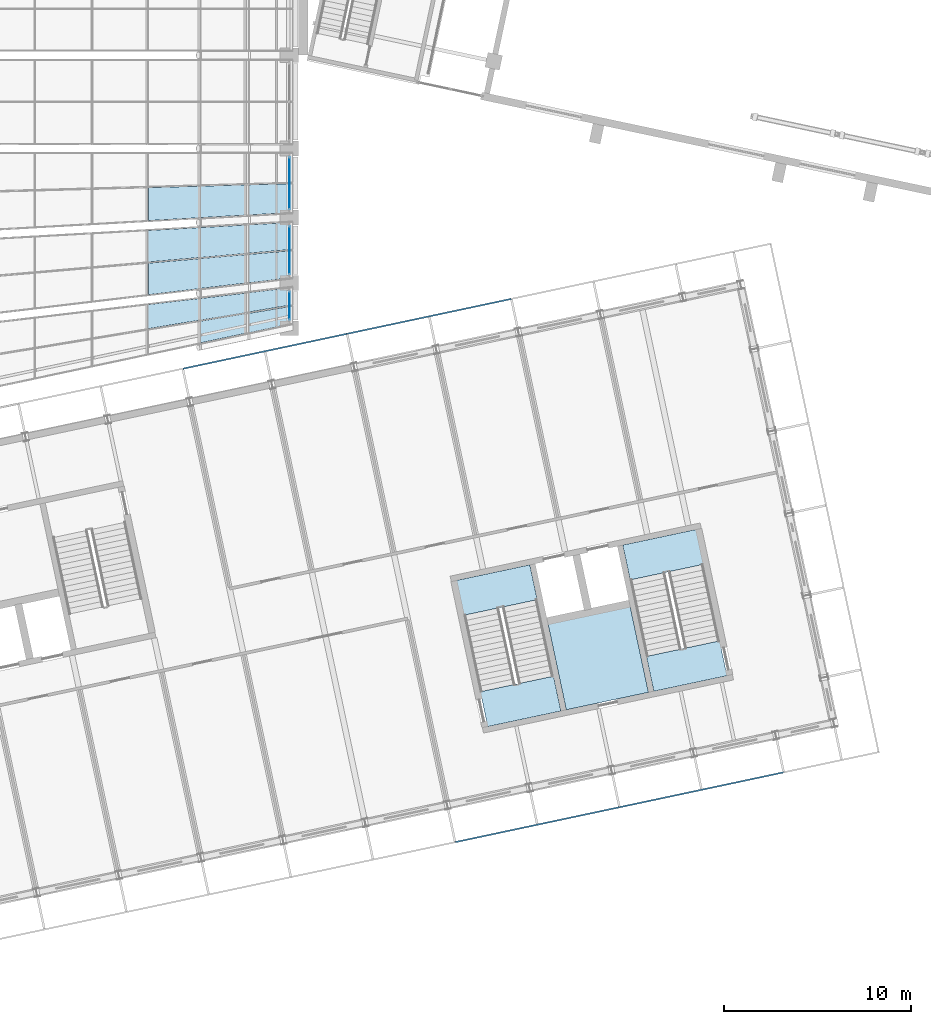
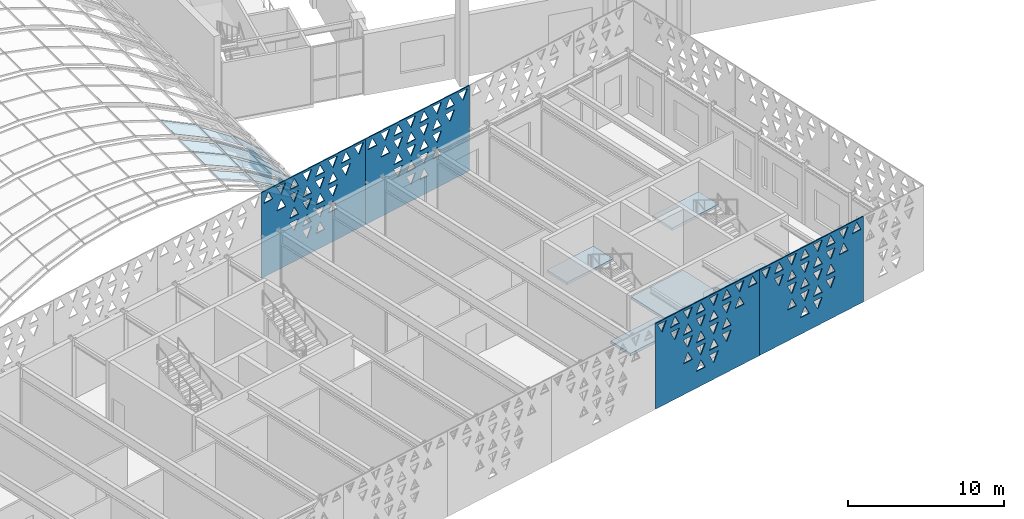
# One storey, part 103 of 182: 21 plates, 5 slabs, 8 elements without a shape of their own.
"""IFC4 building model written with IfcOpenShell, lengths in metres."""

from ifc_helpers import new_model, si_unit, direction, frame, origin, origin_2d, place, context, subcontext, project, spatial, polyline, rectangle, outline, extrude, material, layer, layer_set, type_object, element, aggregate, save


model = new_model("IFC4")

# Units and contexts
model_context = context("Model", 3, precision=1e-05, world=origin(), true_north=direction((0.0, 1.0)))
body_context = subcontext(model_context, "Body", "Model", "MODEL_VIEW")
ifc_project = project(units=[si_unit("LENGTHUNIT", "METRE"), si_unit("AREAUNIT", "SQUARE_METRE"), si_unit("VOLUMEUNIT", "CUBIC_METRE"), si_unit("PLANEANGLEUNIT", "RADIAN"), si_unit("MASSUNIT", "GRAM", prefix="KILO")], contexts=[model_context])

# Site, building, storey
site_placement = place(None, origin())
site = spatial("IfcSite", under=ifc_project, at=site_placement, CompositionType="ELEMENT")
building_placement = place(site_placement, origin())
building = spatial("IfcBuilding", under=site, at=building_placement, Name="Okhra Congress Centre", CompositionType="ELEMENT")
storey_placement = place(building_placement, frame((0.0, 0.0, 7.199951171875)))
storey = spatial("IfcBuildingStorey", under=building, at=storey_placement, Name="L01", CompositionType="ELEMENT", Elevation=7.199951171875)

# Curtain wall, plate
ifc_material_1 = material(Name="Aluminium curtain wall, triple glazing", Category="aluminium")
curtain_wall_type_1 = type_object("IfcCurtainWallType", Name="Curtain wall 2100 module", PredefinedType="NOTDEFINED", material=ifc_material_1)
curtain_wall_1_placement = place(storey_placement, origin())
curtain_wall_1 = element("IfcCurtainWall", 1, at=curtain_wall_1_placement, inside=storey, type_object=curtain_wall_type_1, Name="East bay 1 clerestory glazing", PredefinedType="NOTDEFINED")
ifc_material_2 = material(Name="Triple glazing unit, low-e coating, argon fill", Category="glass")
ifc_layer_1 = layer(ifc_material_2, 0.028076171875)
ifc_layer_set_1 = layer_set([ifc_layer_1], Name="Curtain wall glazing unit 28")
plate_type_1 = type_object("IfcPlateType", Name="Curtain wall glazing unit 28", PredefinedType="CURTAIN_PANEL", material=ifc_layer_set_1)
plate_1_placement = place(storey_placement, frame((189.0, 82.58447265625, 0.06005859375), z_axis=(0.0, 0.0, 1.0), x_axis=(0.0, 1.0, 0.0)))
plate_1 = element("IfcPlate", 2, at=plate_1_placement, type_object=plate_type_1, Name="CW4 panel 1.1", PredefinedType="CURTAIN_PANEL", context=body_context, shape_type="SweptSolid", body=[
    extrude(rectangle(XDim=1.5107421875, YDim=0.028076171875, at=origin_2d()), origin(), (0.0, 0.0, 1.0), 1.3798828125),
])
aggregate(curtain_wall_1, [plate_1])

curtain_wall_2_placement = place(storey_placement, origin())
curtain_wall_2 = element("IfcCurtainWall", 3, at=curtain_wall_2_placement, inside=storey, type_object=curtain_wall_type_1, Name="East bay 2 clerestory glazing", PredefinedType="NOTDEFINED")
plate_2_placement = place(storey_placement, frame((189.0, 85.550048828125, 0.06005859375), z_axis=(0.0, 0.0, 1.0), x_axis=(0.0, 1.0, 0.0)))
plate_2 = element("IfcPlate", 4, at=plate_2_placement, type_object=plate_type_1, Name="CW4 panel 1.1", PredefinedType="CURTAIN_PANEL", context=body_context, shape_type="SweptSolid", body=[
    extrude(rectangle(XDim=2.580078125, YDim=0.028076171875, at=origin_2d()), origin(), (0.0, 0.0, 1.0), 1.3798828125),
])
aggregate(curtain_wall_2, [plate_2])

curtain_wall_3_placement = place(storey_placement, origin())
curtain_wall_3 = element("IfcCurtainWall", 5, at=curtain_wall_3_placement, inside=storey, type_object=curtain_wall_type_1, Name="East bay 3 clerestory glazing", PredefinedType="NOTDEFINED")
plate_3_placement = place(storey_placement, frame((189.0, 89.14990234375, 0.06005859375), z_axis=(0.0, 0.0, 1.0), x_axis=(0.0, 1.0, 0.0)))
plate_3 = element("IfcPlate", 6, at=plate_3_placement, type_object=plate_type_1, Name="CW4 panel 1.1", PredefinedType="CURTAIN_PANEL", context=body_context, shape_type="SweptSolid", body=[
    extrude(rectangle(XDim=2.780029296875, YDim=0.028076171875, at=origin_2d()), origin(), (0.0, 0.0, 1.0), 1.3798828125),
])
aggregate(curtain_wall_3, [plate_3])

# Curtain wall, plates
ifc_material_3 = material(Name="Aluminium frame with triple glazing", Category="aluminium")
curtain_wall_type_2 = type_object("IfcCurtainWallType", Name="Glazed vault bay curtain wall", PredefinedType="NOTDEFINED", material=ifc_material_3)
curtain_wall_4_placement = place(storey_placement, origin())
curtain_wall_4 = element("IfcCurtainWall", 7, at=curtain_wall_4_placement, inside=storey, type_object=curtain_wall_type_2, Name="Vault glazing bay 1", PredefinedType="NOTDEFINED")
ifc_material_4 = material(Name="Laminated toughened glass unit, low-e coating", Category="glass")
ifc_layer_2 = layer(ifc_material_4, 0.035888671875)
ifc_layer_set_2 = layer_set([ifc_layer_2], Name="Laminated safety glazing unit 36 mm")
plate_type_2 = type_object("IfcPlateType", Name="Laminated safety glazing unit 36 mm", PredefinedType="CURTAIN_PANEL", material=ifc_layer_set_2)
plate_4_placement = place(storey_placement, frame((184.1923828125, 80.578125, 5.69189453125), z_axis=(0.559449609733, 0.0, 0.828864364157), x_axis=(0.816291665619, 0.173513923352, -0.550963551465)))
plate_4 = element("IfcPlate", 8, at=plate_4_placement, type_object=plate_type_2, Name="Vault glass panel 1.1.11", PredefinedType="CURTAIN_PANEL", context=body_context, shape_type="SweptSolid", body=[
    extrude(outline(polyline([(0.0, 0.0), (3.1137743455294196, 1.3877787807814457e-16), (3.295209925049871, 1.0297932020834226), (0.20219286039017384, 1.1476075072482315), (0.0, 0.0)])), origin(), (0.0, 0.0, -1.0), 0.035888671875),
])
plate_5_placement = place(storey_placement, frame((186.836669921875, 81.12841796875, 4.010498046875), z_axis=(0.663696509452, 0.0, 0.748001967472), x_axis=(0.738715796544, 0.157083244093, -0.655456959961)))
plate_5 = element("IfcPlate", 9, at=plate_5_placement, type_object=plate_type_2, Name="Vault glass panel 1.1.12", PredefinedType="CURTAIN_PANEL", context=body_context, shape_type="SweptSolid", body=[
    extrude(outline(polyline([(0.0, 0.0), (3.1053150930717264, 5.551115123125783e-17), (3.252273831197595, 0.9239324026197576), (0.16394796594156794, 1.0307440034445365), (0.0, 0.0)])), origin(), (0.0, 0.0, -1.0), 0.035888671875),
])
plate_6_placement = place(storey_placement, frame((184.242919921875, 81.803466796875, 5.7666015625), z_axis=(0.55950430238, 0.0, 0.828827446226), x_axis=(0.821138413829, 0.135896790609, -0.554313780846)))
plate_6 = element("IfcPlate", 10, at=plate_6_placement, type_object=plate_type_2, Name="Vault glass panel 1.2.11", PredefinedType="CURTAIN_PANEL", context=body_context, shape_type="SweptSolid", body=[
    extrude(outline(polyline([(0.0, 0.0), (3.0953953731405424, -2.7755575615628914e-17), (3.2375296140995076, 1.036195637470049), (0.1583582474549815, 1.154472870598633), (0.0, 0.0)])), origin(), (0.0, 0.0, -1.0), 0.035888671875),
])
plate_7_placement = place(storey_placement, frame((186.77685546875, 82.23193359375, 3.943115234375), z_axis=(0.663651964383, 0.0, 0.748041489605), x_axis=(0.742367132563, 0.122937766951, -0.658617754049)))
plate_7 = element("IfcPlate", 11, at=plate_7_placement, type_object=plate_type_2, Name="Vault glass panel 1.2.12", PredefinedType="CURTAIN_PANEL", context=body_context, shape_type="SweptSolid", body=[
    extrude(outline(polyline([(0.0, 0.0), (3.090041587080617, -2.7755575615628914e-17), (3.2050556307706746, 0.928450173717646), (0.12831029143397643, 1.0357840534036893), (0.0, 0.0)])), origin(), (0.0, 0.0, -1.0), 0.035888671875),
])

curtain_wall_5_placement = place(storey_placement, origin())
curtain_wall_5 = element("IfcCurtainWall", 12, at=curtain_wall_5_placement, inside=storey, type_object=curtain_wall_type_2, Name="Vault glazing bay 2", PredefinedType="NOTDEFINED")
plate_8_placement = place(storey_placement, frame((184.1923828125, 83.498046875, 5.69189453125), z_axis=(0.559449609733, 0.0, 0.828864364157), x_axis=(0.824899423254, 0.097694840925, -0.556773436481)))
plate_8 = element("IfcPlate", 13, at=plate_8_placement, type_object=plate_type_2, Name="Vault glass panel 2.1.11", PredefinedType="CURTAIN_PANEL", context=body_context, shape_type="SweptSolid", body=[
    extrude(outline(polyline([(0.0, 0.0), (3.0812823663369597, 1.3877787807814457e-17), (3.2303290120746917, 1.518336766161572), (0.15677446030310674, 1.5970599398271745), (0.0, 0.0)])), origin(), (0.0, 0.0, -1.0), 0.035888671875),
])
plate_9_placement = place(storey_placement, frame((186.836669921875, 83.8046875, 4.010498046875), z_axis=(0.663696509452, 0.0, 0.748001967472), x_axis=(0.745077747515, 0.08833722975, -0.661101871119)))
plate_9 = element("IfcPlate", 14, at=plate_9_placement, type_object=plate_type_2, Name="Vault glass panel 2.1.12", PredefinedType="CURTAIN_PANEL", context=body_context, shape_type="SweptSolid", body=[
    extrude(outline(polyline([(0.0, 0.0), (3.0787999241010784, 4.163336342344337e-17), (3.207121827668772, 1.4469578175349584), (0.13464094856690967, 1.518211370566512), (0.0, 0.0)])), origin(), (0.0, 0.0, -1.0), 0.035888671875),
])
plate_10_placement = place(storey_placement, frame((184.242919921875, 85.162841796875, 5.7666015625), z_axis=(0.55950430238, 0.0, 0.828827446226), x_axis=(0.826665705645, 0.072177420654, -0.558045008094)))
plate_10 = element("IfcPlate", 15, at=plate_10_placement, type_object=plate_type_2, Name="Vault glass panel 2.2.11", PredefinedType="CURTAIN_PANEL", context=body_context, shape_type="SweptSolid", body=[
    extrude(outline(polyline([(0.0, 0.0), (3.0746987924136784, 2.7755575615628914e-17), (3.1848151746568645, 1.5216556182150158), (0.11582572899415298, 1.6005508687033603), (0.0, 0.0)])), origin(), (0.0, 0.0, -1.0), 0.035888671875),
])
plate_11_placement = place(storey_placement, frame((186.77685546875, 85.388916015625, 3.943115234375), z_axis=(0.663651964383, 0.0, 0.748041489605), x_axis=(0.746448699555, 0.065222901483, -0.662238863292)))
plate_11 = element("IfcPlate", 16, at=plate_11_placement, type_object=plate_type_2, Name="Vault glass panel 2.2.12", PredefinedType="CURTAIN_PANEL", context=body_context, shape_type="SweptSolid", body=[
    extrude(outline(polyline([(0.0, 0.0), (3.073145299692781, -5.551115123125783e-17), (3.1679064048504246, 1.4497872687010118), (0.09941078465790078, 1.520924536800608), (0.0, 0.0)])), origin(), (0.0, 0.0, -1.0), 0.035888671875),
])

curtain_wall_6_placement = place(storey_placement, origin())
curtain_wall_6 = element("IfcCurtainWall", 17, at=curtain_wall_6_placement, inside=storey, type_object=curtain_wall_type_2, Name="Vault glazing bay 3", PredefinedType="NOTDEFINED")
plate_12_placement = place(storey_placement, frame((184.1923828125, 87.29443359375, 5.69189453125), z_axis=(0.559449609733, 0.0, 0.828864364157), x_axis=(0.827963783754, 0.046603282805, -0.558841754725)))
plate_12 = element("IfcPlate", 18, at=plate_12_placement, type_object=plate_type_2, Name="Vault glass panel 3.1.11", PredefinedType="CURTAIN_PANEL", context=body_context, shape_type="SweptSolid", body=[
    extrude(outline(polyline([(0.0, 0.0), (3.069878292684492, -6.938893903907228e-18), (3.1453583166411354, 1.6178691417862188), (0.07881370605180442, 1.6893246224228424), (0.0, 0.0)])), origin(), (0.0, 0.0, -1.0), 0.035888671875),
])
plate_13_placement = place(storey_placement, frame((186.836669921875, 87.440185546875, 4.010498046875), z_axis=(0.663696509452, 0.0, 0.748001967472), x_axis=(0.747342056976, 0.041996233087, -0.663110975842)))
plate_13 = element("IfcPlate", 19, at=plate_13_placement, type_object=plate_type_2, Name="Vault glass panel 3.1.12", PredefinedType="CURTAIN_PANEL", context=body_context, shape_type="SweptSolid", body=[
    extrude(outline(polyline([(0.0, 0.0), (3.0694717246109615, 1.3877787807814457e-17), (3.134731984278263, 1.5525841308407837), (0.06796704812797187, 1.6169803932982807), (0.0, 0.0)])), origin(), (0.0, 0.0, -1.0), 0.035888671875),
])

# Slabs
ifc_material_5 = material(Name="Concrete C30/37", Category="concrete")
ifc_layer_3 = layer(ifc_material_5, 0.199951171875)
ifc_layer_set_3 = layer_set([ifc_layer_3], Name="RC floor slab 200 REI 120 C30/37")
slab_type_1 = type_object("IfcSlabType", Name="RC floor slab 200 REI 120 C30/37", PredefinedType="FLOOR", material=ifc_layer_set_3)
slab_1_placement = place(storey_placement, frame((0.0, 0.0, -0.199951171875)))
element("IfcSlab", 20, at=slab_1_placement, inside=storey, type_object=slab_type_1, Name="Stair floor landing 5A L01", PredefinedType="FLOOR", context=body_context, shape_type="SweptSolid", body=[
    extrude(outline(polyline([(203.551513671875, 60.859130859375), (199.629150390625, 60.025390625), (199.23193359375, 61.893798828125), (203.154296875, 62.727294921875), (203.551513671875, 60.859130859375)])), origin(), (0.0, 0.0, 1.0), 0.199951171875),
])
slab_2_placement = place(storey_placement, frame((0.0, 0.0, -0.199951171875)))
element("IfcSlab", 21, at=slab_2_placement, inside=storey, type_object=slab_type_1, Name="Stair floor landing 5B L01", PredefinedType="FLOOR", context=body_context, shape_type="SweptSolid", body=[
    extrude(outline(polyline([(212.45263671875, 62.751220703125), (208.5302734375, 61.91748046875), (208.133056640625, 63.78564453125), (212.055419921875, 64.619384765625), (212.45263671875, 62.751220703125)])), origin(), (0.0, 0.0, 1.0), 0.199951171875),
])
slab_3_placement = place(storey_placement, frame((0.0, 0.0, -0.199951171875)))
element("IfcSlab", 22, at=slab_3_placement, inside=storey, type_object=slab_type_1, Name="Riser room floor 5 L01", PredefinedType="FLOOR", context=body_context, shape_type="SweptSolid", body=[
    extrude(outline(polyline([(203.8388671875, 60.92529296875), (208.24072265625, 61.861083984375), (207.263427734375, 66.458251953125), (202.86181640625, 65.522705078125), (203.8388671875, 60.92529296875)])), origin(), (0.0, 0.0, 1.0), 0.199951171875),
])

# Stair, slab
stair_type = type_object("IfcStairType", Name="Escape stair 1900 wide, 30 risers of 160.0", PredefinedType="HALF_TURN_STAIR", material=ifc_material_5)
stair_1_placement = place(storey_placement, origin())
stair_1 = element("IfcStair", 23, at=stair_1_placement, inside=storey, type_object=stair_type, Name="L01 Escape stair 5A", PredefinedType="HALF_TURN_STAIR")
ifc_layer_4 = layer(ifc_material_5, 0.199951171875)
ifc_layer_set_4 = layer_set([ifc_layer_4], Name="RC stair landing 200 C30/37")
slab_type_2 = type_object("IfcSlabType", Name="RC stair landing 200 C30/37", PredefinedType="LANDING", material=ifc_layer_set_4)
slab_4_placement = place(storey_placement, frame((0.0, 0.0, 2.199951171875)))
slab_4 = element("IfcSlab", 24, at=slab_4_placement, type_object=slab_type_2, Name="BS5A landing 1", PredefinedType="LANDING", context=body_context, shape_type="SweptSolid", body=[
    extrude(outline(polyline([(202.283203125, 66.825927734375), (198.36083984375, 65.9921875), (197.963623046875, 67.8603515625), (201.885986328125, 68.694091796875), (202.283203125, 66.825927734375)])), origin(), (0.0, 0.0, 1.0), 0.2001953125),
])
aggregate(stair_1, [slab_4])

stair_2_placement = place(storey_placement, origin())
stair_2 = element("IfcStair", 25, at=stair_2_placement, inside=storey, type_object=stair_type, Name="L01 Escape stair 5B", PredefinedType="HALF_TURN_STAIR")
slab_5_placement = place(storey_placement, frame((0.0, 0.0, 2.199951171875)))
slab_5 = element("IfcSlab", 26, at=slab_5_placement, type_object=slab_type_2, Name="BS5B landing 1", PredefinedType="LANDING", context=body_context, shape_type="SweptSolid", body=[
    extrude(outline(polyline([(211.184326171875, 68.7177734375), (207.261962890625, 67.884033203125), (206.864990234375, 69.75244140625), (210.787353515625, 70.586181640625), (211.184326171875, 68.7177734375)])), origin(), (0.0, 0.0, 1.0), 0.2001953125),
])
aggregate(stair_2, [slab_5])

# Plates
ifc_material_6 = material(Name="Fired clay terracotta rainscreen panel, deep oxide-red glaze, non-combustible", Category="masonry")
ifc_layer_5 = layer(ifc_material_6, 0.080078125)
ifc_layer_set_5 = layer_set([ifc_layer_5], Name="Terracotta screen panel 8980x6720")
plate_type_3 = type_object("IfcPlateType", Name="Terracotta screen panel 8980x6720", PredefinedType="SHEET", material=ifc_layer_set_5)
plate_14_placement = place(storey_placement, frame((197.893310546875, 53.834228515625, 0.010009765625), z_axis=(0.0, 0.0, 1.0), x_axis=(0.978145237251, 0.207922809819, 0.0)))
element("IfcPlate", 27, at=plate_14_placement, inside=storey, type_object=plate_type_3, Name="Screen panel S17 Tier 1", PredefinedType="SHEET", context=body_context, shape_type="SweptSolid", body=[
    extrude(outline(polyline([(0.0, 0.0), (8.980224609375, 0.0), (8.980224609375, 6.719970703125), (0.0, 6.719970703125), (0.0, 0.0)]), holes=[polyline([(3.536376953125, 1.303955078125), (4.3037109375, 1.303955078125), (3.919921875, 2.05615234375), (3.536376953125, 1.303955078125)]), polyline([(4.656494140625, 2.05615234375), (5.0400390625, 1.303955078125), (5.423583984375, 2.05615234375), (4.656494140625, 2.05615234375)]), polyline([(2.41650390625, 2.423828125), (3.18359375, 2.423828125), (2.800048828125, 3.176025390625), (2.41650390625, 2.423828125)]), polyline([(3.536376953125, 3.176025390625), (3.919921875, 2.423828125), (4.3037109375, 3.176025390625), (3.536376953125, 3.176025390625)]), polyline([(4.656494140625, 2.423828125), (5.423583984375, 2.423828125), (5.0400390625, 3.176025390625), (4.656494140625, 2.423828125)]), polyline([(5.7763671875, 3.176025390625), (6.159912109375, 2.423828125), (6.543701171875, 3.176025390625), (5.7763671875, 3.176025390625)]), polyline([(2.41650390625, 4.296142578125), (2.800048828125, 3.5439453125), (3.18359375, 4.296142578125), (2.41650390625, 4.296142578125)]), polyline([(3.536376953125, 3.5439453125), (4.3037109375, 3.5439453125), (3.919921875, 4.296142578125), (3.536376953125, 3.5439453125)]), polyline([(4.656494140625, 4.296142578125), (5.0400390625, 3.5439453125), (5.423583984375, 4.296142578125), (4.656494140625, 4.296142578125)]), polyline([(5.7763671875, 3.5439453125), (6.543701171875, 3.5439453125), (6.159912109375, 4.296142578125), (5.7763671875, 3.5439453125)]), polyline([(1.29638671875, 5.416015625), (1.679931640625, 4.663818359375), (2.0634765625, 5.416015625), (1.29638671875, 5.416015625)]), polyline([(2.41650390625, 4.663818359375), (3.18359375, 4.663818359375), (2.800048828125, 5.416015625), (2.41650390625, 4.663818359375)]), polyline([(3.536376953125, 5.416015625), (3.919921875, 4.663818359375), (4.3037109375, 5.416015625), (3.536376953125, 5.416015625)]), polyline([(4.656494140625, 4.663818359375), (5.423583984375, 4.663818359375), (5.0400390625, 5.416015625), (4.656494140625, 4.663818359375)]), polyline([(5.7763671875, 5.416015625), (6.159912109375, 4.663818359375), (6.543701171875, 5.416015625), (5.7763671875, 5.416015625)]), polyline([(6.896484375, 4.663818359375), (7.66357421875, 4.663818359375), (7.280029296875, 5.416015625), (6.896484375, 4.663818359375)]), polyline([(0.176513671875, 6.5361328125), (0.56005859375, 5.783935546875), (0.943603515625, 6.5361328125), (0.176513671875, 6.5361328125)]), polyline([(1.29638671875, 5.783935546875), (2.0634765625, 5.783935546875), (1.679931640625, 6.5361328125), (1.29638671875, 5.783935546875)]), polyline([(2.41650390625, 6.5361328125), (2.800048828125, 5.783935546875), (3.18359375, 6.5361328125), (2.41650390625, 6.5361328125)]), polyline([(3.536376953125, 5.783935546875), (4.3037109375, 5.783935546875), (3.919921875, 6.5361328125), (3.536376953125, 5.783935546875)]), polyline([(4.656494140625, 6.5361328125), (5.0400390625, 5.783935546875), (5.423583984375, 6.5361328125), (4.656494140625, 6.5361328125)]), polyline([(5.7763671875, 5.783935546875), (6.543701171875, 5.783935546875), (6.159912109375, 6.5361328125), (5.7763671875, 5.783935546875)]), polyline([(6.896484375, 6.5361328125), (7.280029296875, 5.783935546875), (7.66357421875, 6.5361328125), (6.896484375, 6.5361328125)]), polyline([(8.016357421875, 5.783935546875), (8.78369140625, 5.783935546875), (8.39990234375, 6.5361328125), (8.016357421875, 5.783935546875)])]), frame((0.0, 0.0400390625, 0.0), z_axis=(0.0, -1.0, 0.0), x_axis=(1.0, 0.0, 0.0)), (0.0, 0.0, 1.0), 0.080078125),
])
plate_15_placement = place(storey_placement, frame((206.69677734375, 55.70556640625, 0.010009765625), z_axis=(0.0, 0.0, 1.0), x_axis=(0.978149591018, 0.207902327047, 0.0)))
element("IfcPlate", 28, at=plate_15_placement, inside=storey, type_object=plate_type_3, Name="Screen panel S18 Tier 1", PredefinedType="SHEET", context=body_context, shape_type="SweptSolid", body=[
    extrude(outline(polyline([(0.0, 0.0), (8.97998046875, 0.0), (8.97998046875, 6.719970703125), (0.0, 6.719970703125), (0.0, 0.0)]), holes=[polyline([(3.536376953125, 1.303955078125), (4.3037109375, 1.303955078125), (3.919921875, 2.05615234375), (3.536376953125, 1.303955078125)]), polyline([(4.656494140625, 2.05615234375), (5.0400390625, 1.303955078125), (5.423583984375, 2.05615234375), (4.656494140625, 2.05615234375)]), polyline([(2.41650390625, 2.423828125), (3.18359375, 2.423828125), (2.800048828125, 3.176025390625), (2.41650390625, 2.423828125)]), polyline([(3.536376953125, 3.176025390625), (3.919921875, 2.423828125), (4.3037109375, 3.176025390625), (3.536376953125, 3.176025390625)]), polyline([(4.656494140625, 2.423828125), (5.423583984375, 2.423828125), (5.0400390625, 3.176025390625), (4.656494140625, 2.423828125)]), polyline([(5.7763671875, 3.176025390625), (6.159912109375, 2.423828125), (6.543701171875, 3.176025390625), (5.7763671875, 3.176025390625)]), polyline([(2.41650390625, 4.296142578125), (2.800048828125, 3.5439453125), (3.18359375, 4.296142578125), (2.41650390625, 4.296142578125)]), polyline([(3.536376953125, 3.5439453125), (4.3037109375, 3.5439453125), (3.919921875, 4.296142578125), (3.536376953125, 3.5439453125)]), polyline([(4.656494140625, 4.296142578125), (5.0400390625, 3.5439453125), (5.423583984375, 4.296142578125), (4.656494140625, 4.296142578125)]), polyline([(5.7763671875, 3.5439453125), (6.543701171875, 3.5439453125), (6.159912109375, 4.296142578125), (5.7763671875, 3.5439453125)]), polyline([(1.29638671875, 5.416015625), (1.679931640625, 4.663818359375), (2.0634765625, 5.416015625), (1.29638671875, 5.416015625)]), polyline([(2.41650390625, 4.663818359375), (3.18359375, 4.663818359375), (2.800048828125, 5.416015625), (2.41650390625, 4.663818359375)]), polyline([(3.536376953125, 5.416015625), (3.919921875, 4.663818359375), (4.3037109375, 5.416015625), (3.536376953125, 5.416015625)]), polyline([(4.656494140625, 4.663818359375), (5.423583984375, 4.663818359375), (5.0400390625, 5.416015625), (4.656494140625, 4.663818359375)]), polyline([(5.7763671875, 5.416015625), (6.159912109375, 4.663818359375), (6.543701171875, 5.416015625), (5.7763671875, 5.416015625)]), polyline([(6.896484375, 4.663818359375), (7.66357421875, 4.663818359375), (7.280029296875, 5.416015625), (6.896484375, 4.663818359375)]), polyline([(0.176513671875, 6.5361328125), (0.56005859375, 5.783935546875), (0.943603515625, 6.5361328125), (0.176513671875, 6.5361328125)]), polyline([(1.29638671875, 5.783935546875), (2.0634765625, 5.783935546875), (1.679931640625, 6.5361328125), (1.29638671875, 5.783935546875)]), polyline([(2.41650390625, 6.5361328125), (2.800048828125, 5.783935546875), (3.18359375, 6.5361328125), (2.41650390625, 6.5361328125)]), polyline([(3.536376953125, 5.783935546875), (4.3037109375, 5.783935546875), (3.919921875, 6.5361328125), (3.536376953125, 5.783935546875)]), polyline([(4.656494140625, 6.5361328125), (5.0400390625, 5.783935546875), (5.423583984375, 6.5361328125), (4.656494140625, 6.5361328125)]), polyline([(5.7763671875, 5.783935546875), (6.543701171875, 5.783935546875), (6.159912109375, 6.5361328125), (5.7763671875, 5.783935546875)]), polyline([(6.896484375, 6.5361328125), (7.280029296875, 5.783935546875), (7.66357421875, 6.5361328125), (6.896484375, 6.5361328125)]), polyline([(8.016357421875, 5.783935546875), (8.78369140625, 5.783935546875), (8.39990234375, 6.5361328125), (8.016357421875, 5.783935546875)])]), frame((0.0, 0.0400390625, 0.0), z_axis=(0.0, -1.0, 0.0), x_axis=(1.0, 0.0, 0.0)), (0.0, 0.0, 1.0), 0.080078125),
])
plate_16_placement = place(storey_placement, frame((200.88671875, 82.942626953125, 0.010009765625), z_axis=(0.0, 0.0, 1.0), x_axis=(-0.978149591018, -0.207902327047, 0.0)))
element("IfcPlate", 29, at=plate_16_placement, inside=storey, type_object=plate_type_3, Name="Screen panel N3 Tier 1", PredefinedType="SHEET", context=body_context, shape_type="SweptSolid", body=[
    extrude(outline(polyline([(0.0, 0.0), (8.97998046875, 0.0), (8.97998046875, 6.719970703125), (0.0, 6.719970703125), (0.0, 0.0)]), holes=[polyline([(3.536376953125, 1.303955078125), (4.3037109375, 1.303955078125), (3.919921875, 2.05615234375), (3.536376953125, 1.303955078125)]), polyline([(4.656494140625, 2.05615234375), (5.0400390625, 1.303955078125), (5.423583984375, 2.05615234375), (4.656494140625, 2.05615234375)]), polyline([(2.41650390625, 2.423828125), (3.18359375, 2.423828125), (2.800048828125, 3.176025390625), (2.41650390625, 2.423828125)]), polyline([(3.536376953125, 3.176025390625), (3.919921875, 2.423828125), (4.3037109375, 3.176025390625), (3.536376953125, 3.176025390625)]), polyline([(4.656494140625, 2.423828125), (5.423583984375, 2.423828125), (5.0400390625, 3.176025390625), (4.656494140625, 2.423828125)]), polyline([(5.7763671875, 3.176025390625), (6.159912109375, 2.423828125), (6.543701171875, 3.176025390625), (5.7763671875, 3.176025390625)]), polyline([(2.41650390625, 4.296142578125), (2.800048828125, 3.5439453125), (3.18359375, 4.296142578125), (2.41650390625, 4.296142578125)]), polyline([(3.536376953125, 3.5439453125), (4.3037109375, 3.5439453125), (3.919921875, 4.296142578125), (3.536376953125, 3.5439453125)]), polyline([(4.656494140625, 4.296142578125), (5.0400390625, 3.5439453125), (5.423583984375, 4.296142578125), (4.656494140625, 4.296142578125)]), polyline([(5.7763671875, 3.5439453125), (6.543701171875, 3.5439453125), (6.159912109375, 4.296142578125), (5.7763671875, 3.5439453125)]), polyline([(1.29638671875, 5.416015625), (1.679931640625, 4.663818359375), (2.0634765625, 5.416015625), (1.29638671875, 5.416015625)]), polyline([(2.41650390625, 4.663818359375), (3.18359375, 4.663818359375), (2.800048828125, 5.416015625), (2.41650390625, 4.663818359375)]), polyline([(3.536376953125, 5.416015625), (3.919921875, 4.663818359375), (4.3037109375, 5.416015625), (3.536376953125, 5.416015625)]), polyline([(4.656494140625, 4.663818359375), (5.423583984375, 4.663818359375), (5.0400390625, 5.416015625), (4.656494140625, 4.663818359375)]), polyline([(5.7763671875, 5.416015625), (6.159912109375, 4.663818359375), (6.543701171875, 5.416015625), (5.7763671875, 5.416015625)]), polyline([(6.896484375, 4.663818359375), (7.66357421875, 4.663818359375), (7.280029296875, 5.416015625), (6.896484375, 4.663818359375)]), polyline([(0.176513671875, 6.5361328125), (0.56005859375, 5.783935546875), (0.943603515625, 6.5361328125), (0.176513671875, 6.5361328125)]), polyline([(1.29638671875, 5.783935546875), (2.0634765625, 5.783935546875), (1.679931640625, 6.5361328125), (1.29638671875, 5.783935546875)]), polyline([(2.41650390625, 6.5361328125), (2.800048828125, 5.783935546875), (3.18359375, 6.5361328125), (2.41650390625, 6.5361328125)]), polyline([(3.536376953125, 5.783935546875), (4.3037109375, 5.783935546875), (3.919921875, 6.5361328125), (3.536376953125, 5.783935546875)]), polyline([(4.656494140625, 6.5361328125), (5.0400390625, 5.783935546875), (5.423583984375, 6.5361328125), (4.656494140625, 6.5361328125)]), polyline([(5.7763671875, 5.783935546875), (6.543701171875, 5.783935546875), (6.159912109375, 6.5361328125), (5.7763671875, 5.783935546875)]), polyline([(6.896484375, 6.5361328125), (7.280029296875, 5.783935546875), (7.66357421875, 6.5361328125), (6.896484375, 6.5361328125)]), polyline([(8.016357421875, 5.783935546875), (8.78369140625, 5.783935546875), (8.39990234375, 6.5361328125), (8.016357421875, 5.783935546875)])]), frame((0.0, 0.0400390625, 0.0), z_axis=(0.0, -1.0, 0.0), x_axis=(1.0, 0.0, 0.0)), (0.0, 0.0, 1.0), 0.080078125),
])
plate_17_placement = place(storey_placement, frame((192.08349609375, 81.071533203125, 0.010009765625), z_axis=(0.0, 0.0, 1.0), x_axis=(-0.978144061878, -0.207928339131, 0.0)))
element("IfcPlate", 30, at=plate_17_placement, inside=storey, type_object=plate_type_3, Name="Screen panel N4 Tier 1", PredefinedType="SHEET", context=body_context, shape_type="SweptSolid", body=[
    extrude(outline(polyline([(0.0, 0.0), (8.97998046875, 0.0), (8.97998046875, 6.719970703125), (0.0, 6.719970703125), (0.0, 0.0)]), holes=[polyline([(3.536376953125, 1.303955078125), (4.3037109375, 1.303955078125), (3.919921875, 2.05615234375), (3.536376953125, 1.303955078125)]), polyline([(4.656494140625, 2.05615234375), (5.0400390625, 1.303955078125), (5.423583984375, 2.05615234375), (4.656494140625, 2.05615234375)]), polyline([(2.41650390625, 2.423828125), (3.18359375, 2.423828125), (2.800048828125, 3.176025390625), (2.41650390625, 2.423828125)]), polyline([(3.536376953125, 3.176025390625), (3.919921875, 2.423828125), (4.3037109375, 3.176025390625), (3.536376953125, 3.176025390625)]), polyline([(4.656494140625, 2.423828125), (5.423583984375, 2.423828125), (5.0400390625, 3.176025390625), (4.656494140625, 2.423828125)]), polyline([(5.7763671875, 3.176025390625), (6.159912109375, 2.423828125), (6.543701171875, 3.176025390625), (5.7763671875, 3.176025390625)]), polyline([(2.41650390625, 4.296142578125), (2.800048828125, 3.5439453125), (3.18359375, 4.296142578125), (2.41650390625, 4.296142578125)]), polyline([(3.536376953125, 3.5439453125), (4.3037109375, 3.5439453125), (3.919921875, 4.296142578125), (3.536376953125, 3.5439453125)]), polyline([(4.656494140625, 4.296142578125), (5.0400390625, 3.5439453125), (5.423583984375, 4.296142578125), (4.656494140625, 4.296142578125)]), polyline([(5.7763671875, 3.5439453125), (6.543701171875, 3.5439453125), (6.159912109375, 4.296142578125), (5.7763671875, 3.5439453125)]), polyline([(1.29638671875, 5.416015625), (1.679931640625, 4.663818359375), (2.0634765625, 5.416015625), (1.29638671875, 5.416015625)]), polyline([(2.41650390625, 4.663818359375), (3.18359375, 4.663818359375), (2.800048828125, 5.416015625), (2.41650390625, 4.663818359375)]), polyline([(3.536376953125, 5.416015625), (3.919921875, 4.663818359375), (4.3037109375, 5.416015625), (3.536376953125, 5.416015625)]), polyline([(4.656494140625, 4.663818359375), (5.423583984375, 4.663818359375), (5.0400390625, 5.416015625), (4.656494140625, 4.663818359375)]), polyline([(5.7763671875, 5.416015625), (6.159912109375, 4.663818359375), (6.543701171875, 5.416015625), (5.7763671875, 5.416015625)]), polyline([(6.896484375, 4.663818359375), (7.66357421875, 4.663818359375), (7.280029296875, 5.416015625), (6.896484375, 4.663818359375)]), polyline([(0.176513671875, 6.5361328125), (0.56005859375, 5.783935546875), (0.943603515625, 6.5361328125), (0.176513671875, 6.5361328125)]), polyline([(1.29638671875, 5.783935546875), (2.0634765625, 5.783935546875), (1.679931640625, 6.5361328125), (1.29638671875, 5.783935546875)]), polyline([(2.41650390625, 6.5361328125), (2.800048828125, 5.783935546875), (3.18359375, 6.5361328125), (2.41650390625, 6.5361328125)]), polyline([(3.536376953125, 5.783935546875), (4.3037109375, 5.783935546875), (3.919921875, 6.5361328125), (3.536376953125, 5.783935546875)]), polyline([(4.656494140625, 6.5361328125), (5.0400390625, 5.783935546875), (5.423583984375, 6.5361328125), (4.656494140625, 6.5361328125)]), polyline([(5.7763671875, 5.783935546875), (6.543701171875, 5.783935546875), (6.159912109375, 6.5361328125), (5.7763671875, 5.783935546875)]), polyline([(6.896484375, 6.5361328125), (7.280029296875, 5.783935546875), (7.66357421875, 6.5361328125), (6.896484375, 6.5361328125)]), polyline([(8.016357421875, 5.783935546875), (8.78369140625, 5.783935546875), (8.39990234375, 6.5361328125), (8.016357421875, 5.783935546875)])]), frame((0.0, 0.0400390625, 0.0), z_axis=(0.0, -1.0, 0.0), x_axis=(1.0, 0.0, 0.0)), (0.0, 0.0, 1.0), 0.080078125),
])

# Plate
ifc_material_7 = material(Name="Toughened triple glazed unit")
ifc_layer_6 = layer(ifc_material_7, 0.028076171875)
ifc_layer_set_6 = layer_set([ifc_layer_6], Name="Triple glazed unit 28 mm")
plate_type_4 = type_object("IfcPlateType", Name="Triple glazed unit 28 mm", PredefinedType="CURTAIN_PANEL", material=ifc_layer_set_6)
plate_18_placement = place(storey_placement, frame((181.39892578125, 81.340087890625, 7.08203125), z_axis=(0.445588482535, 0.0, 0.895237903706), x_axis=(0.885567773445, 0.146583796707, -0.440775350013)))
plate_18 = element("IfcPlate", 31, at=plate_18_placement, type_object=plate_type_4, Name="Vault glass panel 1.2.10", PredefinedType="CURTAIN_PANEL", context=body_context, shape_type="SweptSolid", body=[
    extrude(outline(polyline([(0.0, 0.0), (3.0995629348593052, -1.3877787807814457e-17), (3.2707682286698225, 1.155352651075773), (0.19013664841456518, 1.283107992300498), (0.0, 0.0)])), origin(), (0.0, 0.0, -1.0), 0.028076171875),
])

aggregate(curtain_wall_4, [plate_4, plate_5, plate_18, plate_6, plate_7])

plate_19_placement = place(storey_placement, frame((181.43896484375, 83.16650390625, 7.16259765625), z_axis=(0.445588482535, 0.0, 0.895237903706), x_axis=(0.890244644842, 0.105470592095, -0.443103178203)))
plate_19 = element("IfcPlate", 32, at=plate_19_placement, type_object=plate_type_4, Name="Vault glass panel 2.1.10", PredefinedType="CURTAIN_PANEL", context=body_context, shape_type="SweptSolid", body=[
    extrude(outline(polyline([(0.0, 0.0), (3.08327948140895, -1.3877787807814457e-17), (3.25271221968731, 1.5974852391345342), (0.17844511797401655, 1.682457858237435), (0.0, 0.0)])), origin(), (0.0, 0.0, -1.0), 0.028076171875),
])

plate_20_placement = place(storey_placement, frame((181.39892578125, 84.918212890625, 7.08203125), z_axis=(0.445588482535, 0.0, 0.895237903706), x_axis=(0.892508058484, 0.078033925242, -0.444229751426)))
plate_20 = element("IfcPlate", 33, at=plate_20_placement, type_object=plate_type_4, Name="Vault glass panel 2.2.10", PredefinedType="CURTAIN_PANEL", context=body_context, shape_type="SweptSolid", body=[
    extrude(outline(polyline([(0.0, 0.0), (3.0754602390212824, -2.7755575615628914e-17), (3.20079842119019, 1.6013033893123492), (0.13202517136806935, 1.686735444282502), (0.0, 0.0)])), origin(), (0.0, 0.0, -1.0), 0.028076171875),
])

aggregate(curtain_wall_5, [plate_19, plate_8, plate_9, plate_20, plate_10, plate_11])

plate_21_placement = place(storey_placement, frame((181.43896484375, 87.13720703125, 7.16259765625), z_axis=(0.445588482535, 0.0, 0.895237903706), x_axis=(0.894106464568, 0.050260187282, -0.445025329158)))
plate_21 = element("IfcPlate", 34, at=plate_21_placement, type_object=plate_type_4, Name="Vault glass panel 3.1.10", PredefinedType="CURTAIN_PANEL", context=body_context, shape_type="SweptSolid", body=[
    extrude(outline(polyline([(0.0, 0.0), (3.069962197623977, 0.0), (3.1550339452859166, 1.6904877403267273), (0.08894924257917157, 1.7675386744019106), (0.0, 0.0)])), origin(), (0.0, 0.0, -1.0), 0.028076171875),
])

aggregate(curtain_wall_6, [plate_21, plate_12, plate_13])

save(model, "model.ifc")
